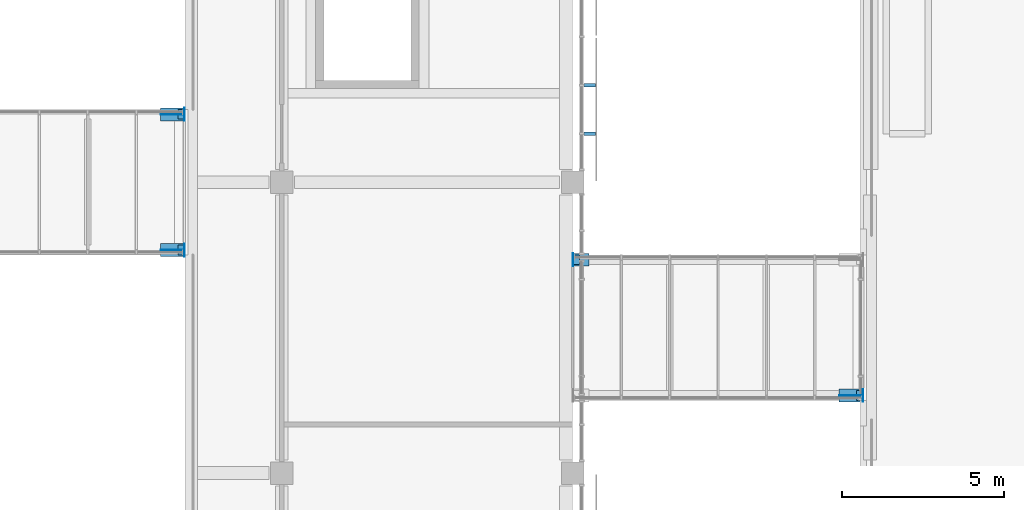
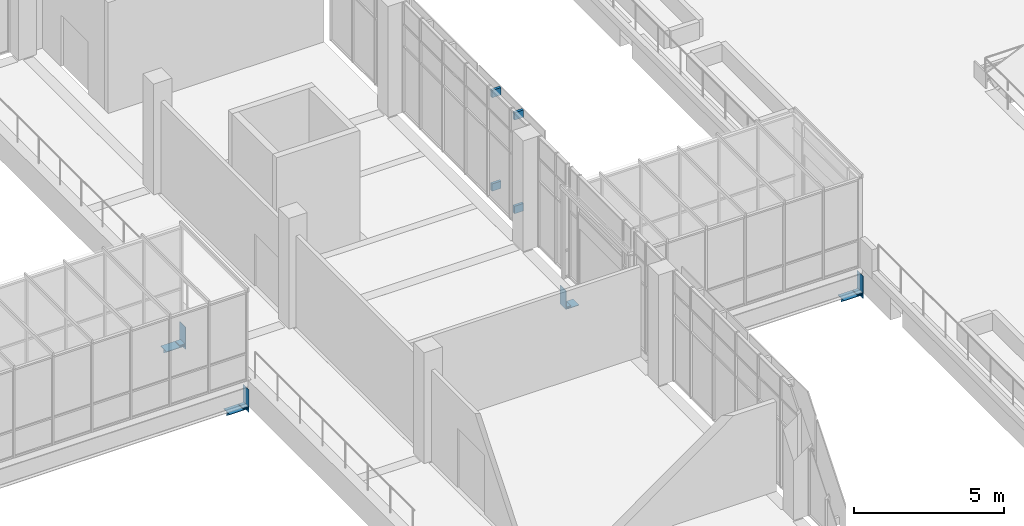
# One storey, part 90 of 106: 19 discrete accessories.
"""IFC4 building model written with IfcOpenShell, lengths in metres."""

from ifc_helpers import new_model, si_unit, direction, frame, origin, origin_2d, place, context, subcontext, project, spatial, rectangle, extrude, material, layer, layer_set, type_object, element, save


model = new_model("IFC4")

# Units and contexts
model_context = context("Model", 3, precision=1e-05, world=origin(), true_north=direction((0.0, 1.0)))
body_context = subcontext(model_context, "Body", "Model", "MODEL_VIEW")
ifc_project = project(units=[si_unit("LENGTHUNIT", "METRE"), si_unit("AREAUNIT", "SQUARE_METRE"), si_unit("VOLUMEUNIT", "CUBIC_METRE"), si_unit("PLANEANGLEUNIT", "RADIAN"), si_unit("MASSUNIT", "GRAM", prefix="KILO")], contexts=[model_context])

# Site, building, storey
site_placement = place(None, origin())
site = spatial("IfcSite", under=ifc_project, at=site_placement, CompositionType="ELEMENT")
building_placement = place(site_placement, origin())
building = spatial("IfcBuilding", under=site, at=building_placement, Name="Guidao Yard Department Store", CompositionType="ELEMENT")
storey_placement = place(building_placement, frame((0.0, 0.0, 10.5)))
storey = spatial("IfcBuildingStorey", under=building, at=storey_placement, Name="L02", CompositionType="ELEMENT", Elevation=10.5)

# Discrete accessories
ifc_material_1 = material(Name="Steel Q355B", Category="steel")
discrete_accessory_type_1 = type_object("IfcDiscreteAccessoryType", Name="Bracket BR2 steel plate", PredefinedType="BRACKET", material=ifc_material_1)
for number, where, z_axis, x_axis, name in (
    (1, (108.534912109375, 91.5, 0.2001953125), (0.0, 0.0, 1.0), (0.0, -1.0, 0.0), "Screen bracket"),
    (2, (108.534912109375, 91.5, 4.0), (0.0, 0.0, 1.0), (0.0, -1.0, 0.0), "Screen bracket"),
    (3, (108.534912109375, 93.0, 0.2001953125), (0.0, 0.0, 1.0), (0.0, -1.0, 0.0), "Screen bracket"),
    (4, (108.534912109375, 93.0, 4.0), (0.0, 0.0, 1.0), (0.0, -1.0, 0.0), "Screen bracket"),
):
    element("IfcDiscreteAccessory", number, at=place(storey_placement, frame(where, z_axis=z_axis, x_axis=x_axis)), inside=storey, type_object=discrete_accessory_type_1, Name=name, PredefinedType="BRACKET", context=body_context, shape_type="SweptSolid", body=[
        extrude(rectangle(XDim=0.10009765625, YDim=0.35009765625, at=origin_2d()), origin(), (0.0, 0.0, 1.0), 0.300048828125),
    ])
ifc_material_2 = material(Name="Steel Q355B", Category="steel")
ifc_layer_1 = layer(ifc_material_2, 0.014892578125)
ifc_layer_set_1 = layer_set([ifc_layer_1], Name="Bridge girder back plate SB1 steel")
discrete_accessory_type_2 = type_object("IfcDiscreteAccessoryType", Name="Bridge girder back plate SB1 steel", PredefinedType="BRACKET", material=ifc_layer_set_1)
discrete_accessory_1_placement = place(storey_placement, frame((116.992431640625, 83.39990234375, -1.259765625), z_axis=(0.0, 0.0, 1.0), x_axis=(1.0, 0.0, 0.0)))
element("IfcDiscreteAccessory", 5, at=discrete_accessory_1_placement, inside=storey, type_object=discrete_accessory_type_2, Name="Bridge girder back plate BR08S S", PredefinedType="BRACKET", context=body_context, shape_type="SweptSolid", body=[
    extrude(rectangle(XDim=0.014892578125, YDim=0.39990234375, at=origin_2d()), origin(), (0.0, 0.0, 1.0), 0.909912109375),
])
discrete_accessory_2_placement = place(storey_placement, frame((108.007568359375, 87.60009765625, -1.10986328125), z_axis=(0.0, 0.0, 1.0), x_axis=(1.0, 0.0, 0.0)))
element("IfcDiscreteAccessory", 6, at=discrete_accessory_2_placement, inside=storey, type_object=discrete_accessory_type_2, Name="Bridge girder back plate BR08N F", PredefinedType="BRACKET", context=body_context, shape_type="SweptSolid", body=[
    extrude(rectangle(XDim=0.014892578125, YDim=0.39990234375, at=origin_2d()), origin(), (0.0, 0.0, 1.0), 0.760009765625),
])
for number, where, z_axis, x_axis, name in (
    (7, (95.992431640625, 87.89990234375, -1.259765625), (0.0, 0.0, 1.0), (1.0, 0.0, 0.0), "Bridge girder back plate BR12S S"),
    (8, (95.992431640625, 92.10009765625, -1.259765625), (0.0, 0.0, 1.0), (1.0, 0.0, 0.0), "Bridge girder back plate BR12N S"),
):
    element("IfcDiscreteAccessory", number, at=place(storey_placement, frame(where, z_axis=z_axis, x_axis=x_axis)), inside=storey, type_object=discrete_accessory_type_2, Name=name, PredefinedType="BRACKET", context=body_context, shape_type="SweptSolid", body=[
        extrude(rectangle(XDim=0.014892578125, YDim=0.39990234375, at=origin_2d()), origin(), (0.0, 0.0, 1.0), 0.909912109375),
    ])
ifc_material_3 = material(Name="Steel Q355B", Category="steel")
ifc_layer_2 = layer(ifc_material_3, 0.0400390625)
ifc_layer_set_2 = layer_set([ifc_layer_2], Name="Bridge girder pinned bearing BP1 steel")
discrete_accessory_type_3 = type_object("IfcDiscreteAccessoryType", Name="Bridge girder pinned bearing BP1 steel", PredefinedType="SHOE", material=ifc_layer_set_2)
discrete_accessory_3_placement = place(storey_placement, frame((108.114990234375, 87.60009765625, -1.090087890625), z_axis=(0.0, 0.0, 1.0), x_axis=(1.0, 0.0, 0.0)))
element("IfcDiscreteAccessory", 9, at=discrete_accessory_3_placement, inside=storey, type_object=discrete_accessory_type_3, Name="Bridge girder pinned bearing BR08N", PredefinedType="SHOE", context=body_context, shape_type="SweptSolid", body=[
    extrude(rectangle(XDim=0.199951171875, YDim=0.300048828125, at=origin_2d()), origin(), (0.0, 0.0, 1.0), 0.0400390625),
])
ifc_material_4 = material(Name="Steel Q355B", Category="steel")
ifc_layer_3 = layer(ifc_material_4, 0.02001953125)
ifc_layer_set_3 = layer_set([ifc_layer_3], Name="Bridge girder seat plate SP1 steel 500")
discrete_accessory_type_4 = type_object("IfcDiscreteAccessoryType", Name="Bridge girder seat plate SP1 steel 500", PredefinedType="BRACKET", material=ifc_layer_set_3)
discrete_accessory_4_placement = place(storey_placement, frame((108.257568359375, 87.60009765625, -1.110107421875), z_axis=(0.0, 0.0, 1.0), x_axis=(1.0, 0.0, 0.0)))
element("IfcDiscreteAccessory", 10, at=discrete_accessory_4_placement, inside=storey, type_object=discrete_accessory_type_4, Name="Bridge girder seat plate BR08N F", PredefinedType="BRACKET", context=body_context, shape_type="SweptSolid", body=[
    extrude(rectangle(XDim=0.485107421875, YDim=0.39990234375, at=origin_2d()), origin(), (0.0, 0.0, 1.0), 0.02001953125),
])
ifc_material_5 = material(Name="Steel Q355B", Category="steel")
ifc_layer_4 = layer(ifc_material_5, 0.02001953125)
ifc_layer_set_4 = layer_set([ifc_layer_4], Name="Bridge girder seat plate SP1 steel 750")
discrete_accessory_type_5 = type_object("IfcDiscreteAccessoryType", Name="Bridge girder seat plate SP1 steel 750", PredefinedType="BRACKET", material=ifc_layer_set_4)
for number, where, z_axis, x_axis, name in (
    (11, (116.617431640625, 83.39990234375, -1.110107421875), (0.0, 0.0, 1.0), (1.0, 0.0, 0.0), "Bridge girder seat plate BR08S S"),
    (12, (95.617431640625, 87.89990234375, -1.110107421875), (0.0, 0.0, 1.0), (1.0, 0.0, 0.0), "Bridge girder seat plate BR12S S"),
    (13, (95.617431640625, 92.10009765625, -1.110107421875), (0.0, 0.0, 1.0), (1.0, 0.0, 0.0), "Bridge girder seat plate BR12N S"),
):
    element("IfcDiscreteAccessory", number, at=place(storey_placement, frame(where, z_axis=z_axis, x_axis=x_axis)), inside=storey, type_object=discrete_accessory_type_5, Name=name, PredefinedType="BRACKET", context=body_context, shape_type="SweptSolid", body=[
        extrude(rectangle(XDim=0.735107421875, YDim=0.39990234375, at=origin_2d()), origin(), (0.0, 0.0, 1.0), 0.02001953125),
    ])
ifc_material_6 = material(Name="Steel Q355B", Category="steel")
ifc_layer_5 = layer(ifc_material_6, 0.01611328125)
ifc_layer_set_5 = layer_set([ifc_layer_5], Name="Bridge girder seat rib SR1 steel 16")
discrete_accessory_type_6 = type_object("IfcDiscreteAccessoryType", Name="Bridge girder seat rib SR1 steel 16", PredefinedType="BRACKET", material=ifc_layer_set_5)
for number, where, z_axis, x_axis, name in (
    (14, (116.610107421875, 83.39990234375, -1.260009765625), (0.0, 0.0, 1.0), (1.0, 0.0, 0.0), "Bridge girder seat rib BR08S S"),
    (15, (95.610107421875, 87.89990234375, -1.260009765625), (0.0, 0.0, 1.0), (1.0, 0.0, 0.0), "Bridge girder seat rib BR12S S"),
    (16, (95.610107421875, 92.10009765625, -1.260009765625), (0.0, 0.0, 1.0), (1.0, 0.0, 0.0), "Bridge girder seat rib BR12N S"),
):
    element("IfcDiscreteAccessory", number, at=place(storey_placement, frame(where, z_axis=z_axis, x_axis=x_axis)), inside=storey, type_object=discrete_accessory_type_6, Name=name, PredefinedType="BRACKET", context=body_context, shape_type="SweptSolid", body=[
        extrude(rectangle(XDim=0.719970703125, YDim=0.01611328125, at=origin_2d()), origin(), (0.0, 0.0, 1.0), 0.14990234375),
    ])
ifc_material_7 = material(Name="Steel Q355B", Category="steel")
ifc_layer_6 = layer(ifc_material_7, 0.0400390625)
ifc_layer_set_6 = layer_set([ifc_layer_6], Name="Bridge girder sliding bearing BS1 PTFE on steel")
discrete_accessory_type_7 = type_object("IfcDiscreteAccessoryType", Name="Bridge girder sliding bearing BS1 PTFE on steel", PredefinedType="SHOE", material=ifc_layer_set_6)
for number, where, z_axis, x_axis, name in (
    (17, (116.885009765625, 83.39990234375, -1.090087890625), (0.0, 0.0, 1.0), (1.0, 0.0, 0.0), "Bridge girder sliding bearing BR08S"),
    (18, (95.885009765625, 87.89990234375, -1.090087890625), (0.0, 0.0, 1.0), (1.0, 0.0, 0.0), "Bridge girder sliding bearing BR12S"),
    (19, (95.885009765625, 92.10009765625, -1.090087890625), (0.0, 0.0, 1.0), (1.0, 0.0, 0.0), "Bridge girder sliding bearing BR12N"),
):
    element("IfcDiscreteAccessory", number, at=place(storey_placement, frame(where, z_axis=z_axis, x_axis=x_axis)), inside=storey, type_object=discrete_accessory_type_7, Name=name, PredefinedType="SHOE", context=body_context, shape_type="SweptSolid", body=[
        extrude(rectangle(XDim=0.199951171875, YDim=0.300048828125, at=origin_2d()), origin(), (0.0, 0.0, 1.0), 0.0400390625),
    ])

save(model, "model.ifc")
